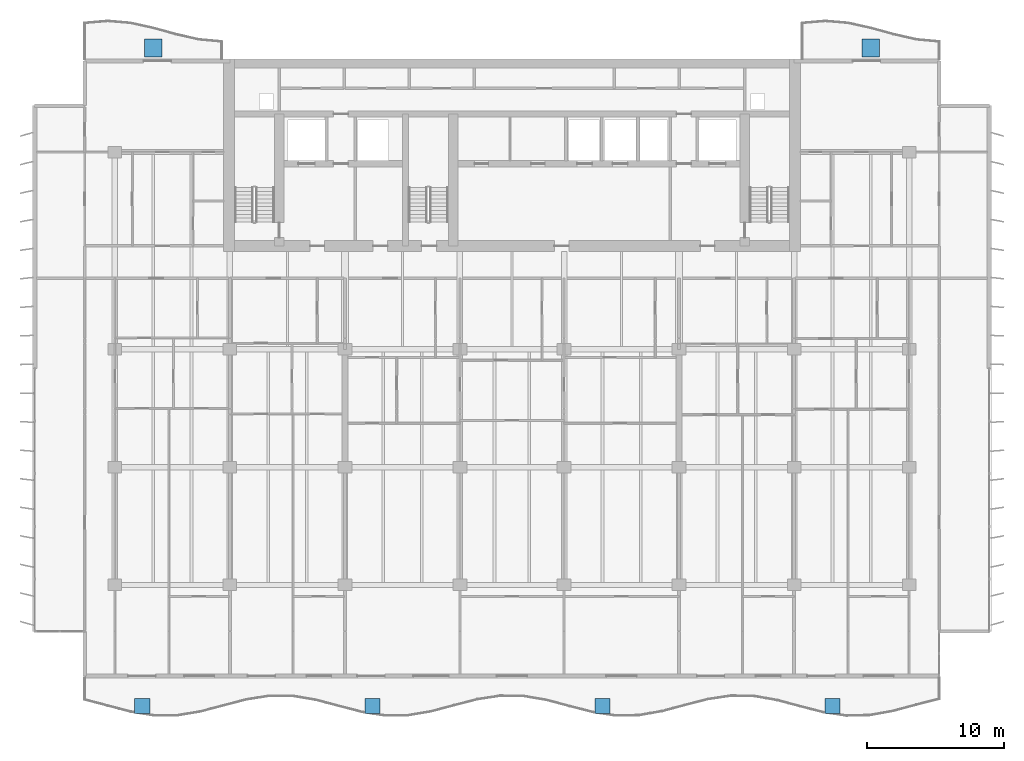
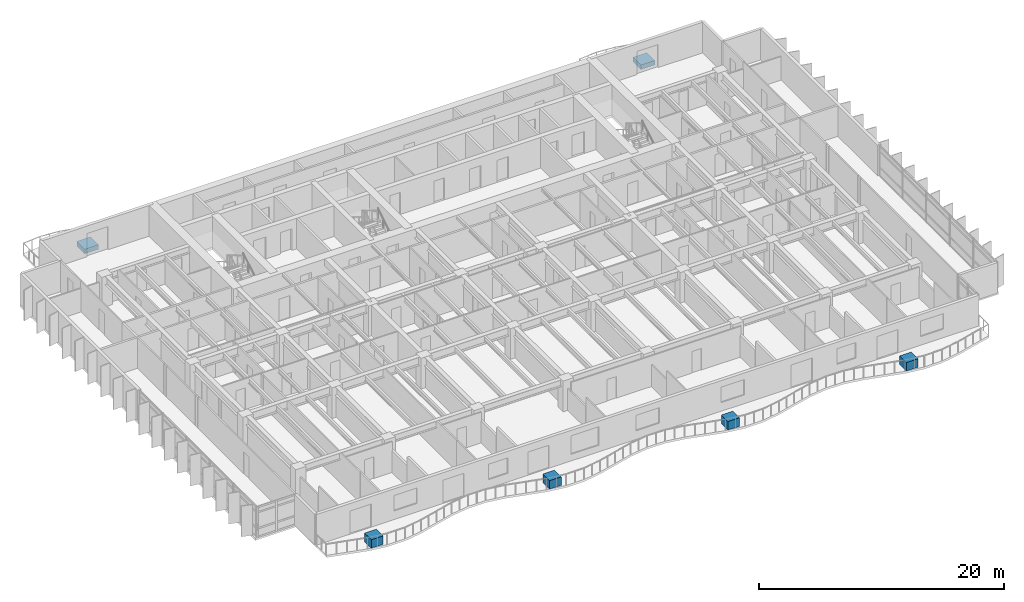
# One storey, part 13 of 17: 6 discrete accessories.
"""IFC4 building model written with IfcOpenShell, lengths in metres."""

from ifc_helpers import new_model, si_unit, direction, frame, origin, origin_2d, place, context, subcontext, project, spatial, rectangle, extrude, material, type_object, element, save


model = new_model("IFC4")

# Units and contexts
model_context = context("Model", 3, precision=1e-05, world=origin(), true_north=direction((0.0, 1.0)))
body_context = subcontext(model_context, "Body", "Model", "MODEL_VIEW")
ifc_project = project(units=[si_unit("LENGTHUNIT", "METRE"), si_unit("AREAUNIT", "SQUARE_METRE"), si_unit("VOLUMEUNIT", "CUBIC_METRE"), si_unit("PLANEANGLEUNIT", "RADIAN"), si_unit("MASSUNIT", "GRAM", prefix="KILO")], contexts=[model_context])

# Site, building, storey
site_placement = place(None, origin())
site = spatial("IfcSite", under=ifc_project, at=site_placement, CompositionType="ELEMENT")
building_placement = place(site_placement, origin())
building = spatial("IfcBuilding", under=site, at=building_placement, Name="Caelmar Bay Residences", CompositionType="ELEMENT")
storey_placement = place(building_placement, frame((0.0, 0.0, 105.89990234375)))
storey = spatial("IfcBuildingStorey", under=building, at=storey_placement, Name="L28", CompositionType="ELEMENT", Elevation=105.89990234375)

# Discrete accessories
ifc_material_1 = material(Name="Architectural bronze GRC planter trough with volcanic-lapilli substrate")
discrete_accessory_type_1 = type_object("IfcDiscreteAccessoryType", Name="ACC-PLANTER-1100", PredefinedType="USERDEFINED", material=ifc_material_1)
for number, where, z_axis, x_axis, name in (
    (1, (11.89990234375, 3.34326171875, 0.0), (0.0, 0.0, 1.0), (1.0, 0.0, 0.0), "L28 Balcony Structural Tree Planter 1"),
    (2, (28.699951171875, 3.34326171875, 0.0), (0.0, 0.0, 1.0), (1.0, 0.0, 0.0), "L28 Balcony Structural Tree Planter 2"),
    (3, (45.5, 3.34326171875, 0.0), (0.0, 0.0, 1.0), (1.0, 0.0, 0.0), "L28 Balcony Structural Tree Planter 3"),
    (4, (62.300048828125, 3.34326171875, 0.0), (0.0, 0.0, 1.0), (1.0, 0.0, 0.0), "L28 Balcony Structural Tree Planter 4"),
):
    element("IfcDiscreteAccessory", number, at=place(storey_placement, frame(where, z_axis=z_axis, x_axis=x_axis)), inside=storey, type_object=discrete_accessory_type_1, Name=name, ObjectType="PLANTER", PredefinedType="USERDEFINED", context=body_context, shape_type="SweptSolid", body=[
        extrude(rectangle(XDim=1.10009765625, YDim=1.10009765625, at=origin_2d()), origin(), (0.0, 0.0, 1.0), 0.85009765625),
    ])
ifc_material_2 = material(Name="Precast concrete f'c 40 MPa (6,000 psi)", Category="concrete")
discrete_accessory_type_2 = type_object("IfcDiscreteAccessoryType", Name="STR-PLANTER-KERB-450", PredefinedType="USERDEFINED", material=ifc_material_2)
for number, where, z_axis, x_axis, name in (
    (5, (12.699951171875, 51.39990234375, 0.0), (0.0, 0.0, 1.0), (1.0, 0.0, 0.0), "L28 north_west Structural Tree Planter Kerb"),
    (6, (65.10009765625, 51.39990234375, 0.0), (0.0, 0.0, 1.0), (1.0, 0.0, 0.0), "L28 north_east Structural Tree Planter Kerb"),
):
    element("IfcDiscreteAccessory", number, at=place(storey_placement, frame(where, z_axis=z_axis, x_axis=x_axis)), inside=storey, type_object=discrete_accessory_type_2, Name=name, ObjectType="PLANTER", PredefinedType="USERDEFINED", context=body_context, shape_type="SweptSolid", body=[
        extrude(rectangle(XDim=1.300048828125, YDim=1.300048828125, at=origin_2d()), origin(), (0.0, 0.0, 1.0), 0.449951171875),
    ])

save(model, "model.ifc")
